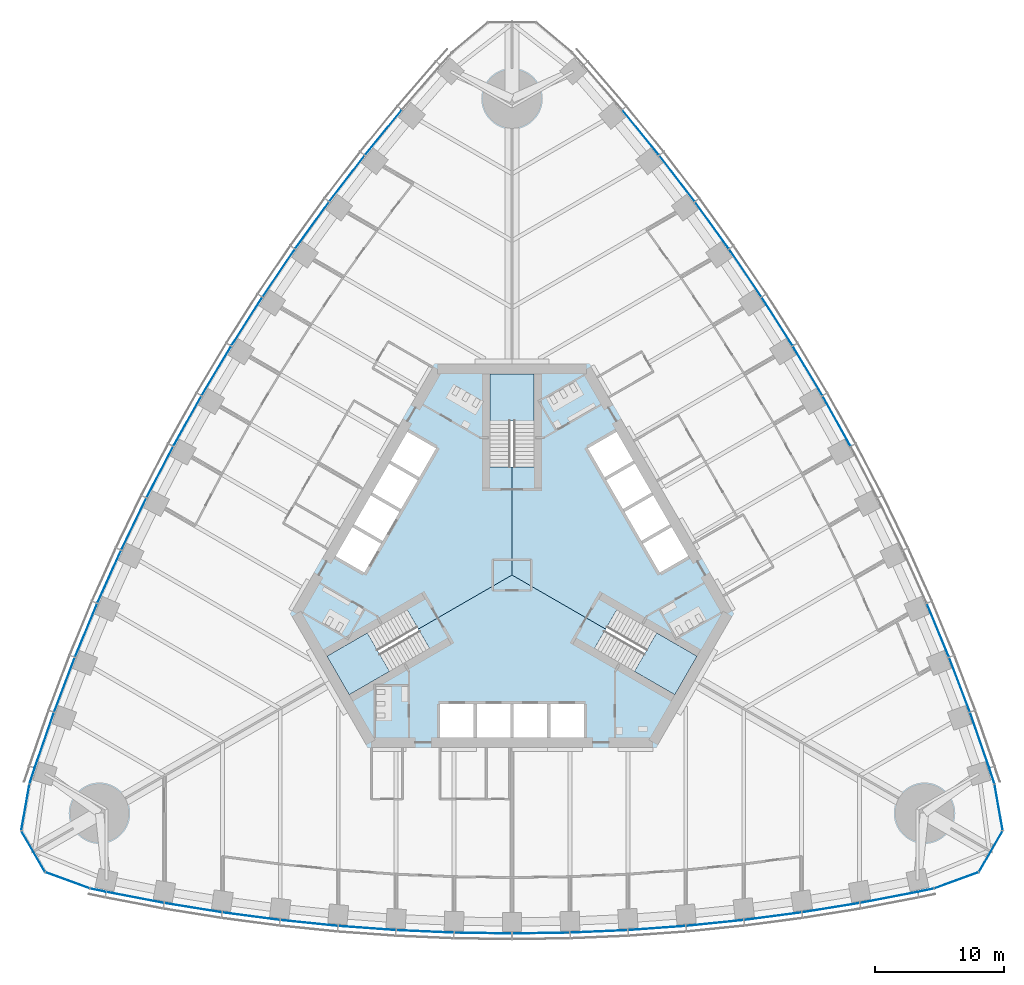
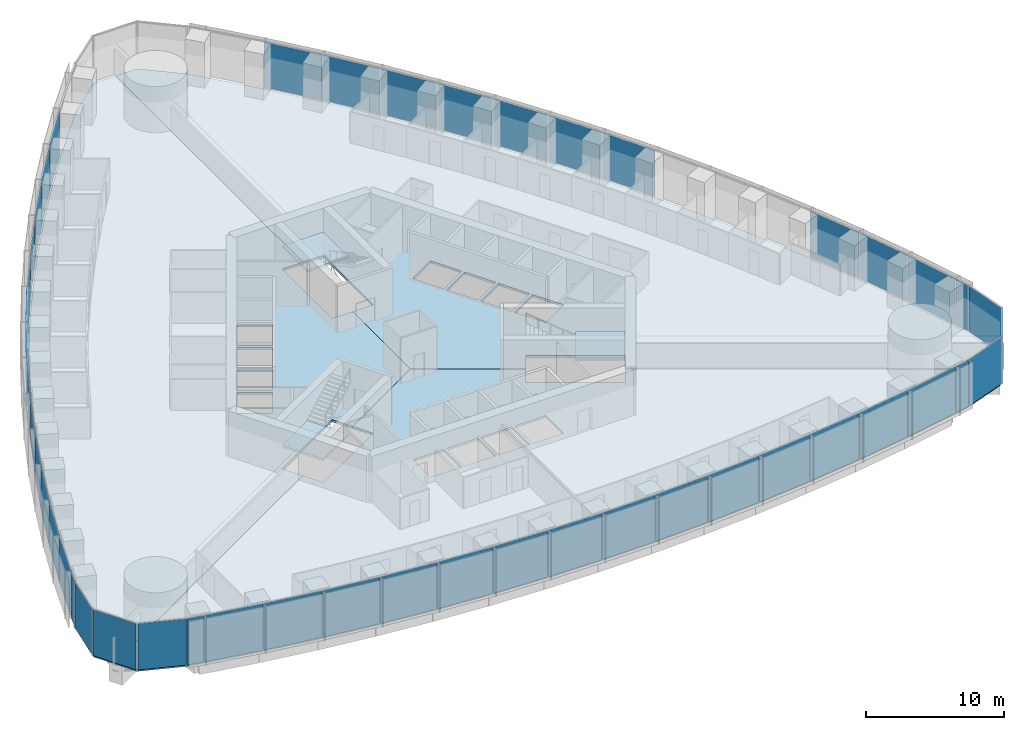
# One storey, part 8 of 19: 47 plates, 6 slabs, 8 elements without a shape of their own.
"""IFC4 building model written with IfcOpenShell, lengths in metres."""

from ifc_helpers import new_model, si_unit, direction, frame, origin, origin_2d, place, context, subcontext, project, spatial, polyline, rectangle, outline, extrude, material, layer, layer_set, type_object, element, aggregate, save


model = new_model("IFC4")

# Units and contexts
model_context = context("Model", 3, precision=1e-05, world=origin(), true_north=direction((0.0, 1.0)))
body_context = subcontext(model_context, "Body", "Model", "MODEL_VIEW")
ifc_project = project(units=[si_unit("LENGTHUNIT", "METRE"), si_unit("AREAUNIT", "SQUARE_METRE"), si_unit("VOLUMEUNIT", "CUBIC_METRE"), si_unit("PLANEANGLEUNIT", "RADIAN"), si_unit("MASSUNIT", "GRAM", prefix="KILO")], contexts=[model_context])

# Site, building, storey
site_placement = place(None, origin())
site = spatial("IfcSite", under=ifc_project, at=site_placement, CompositionType="ELEMENT")
building_placement = place(site_placement, origin())
building = spatial("IfcBuilding", under=site, at=building_placement, Name="Trefoil Bronze Tower", CompositionType="ELEMENT")
storey_placement = place(building_placement, frame((0.0, 0.0, 16.5)))
storey = spatial("IfcBuildingStorey", under=building, at=storey_placement, Name="L03", CompositionType="ELEMENT", Elevation=16.5)

# Curtain wall, plates
ifc_material_1 = material(Name="Tinted solar-control glass", Category="glass")
curtain_wall_type_1 = type_object("IfcCurtainWallType", Name="Bronze office curtain wall", PredefinedType="USERDEFINED", material=ifc_material_1)
curtain_wall_1_placement = place(storey_placement, origin())
curtain_wall_1 = element("IfcCurtainWall", 1, at=curtain_wall_1_placement, inside=storey, type_object=curtain_wall_type_1, Name="CW-A L03 F1", ObjectType="CURTAIN WALL", PredefinedType="USERDEFINED")
ifc_material_2 = material(Name="Tinted solar-control glass", Category="glass")
ifc_layer_1 = layer(ifc_material_2, 0.030029296875)
ifc_layer_set_1 = layer_set([ifc_layer_1], Name="Bronze office curtain wall glass panel")
plate_type_1 = type_object("IfcPlateType", Name="Bronze office curtain wall glass panel", PredefinedType="CURTAIN_PANEL", material=ifc_layer_set_1)
plate_1_placement = place(storey_placement, frame((-32.15185546875, -24.480224609375, 0.0), z_axis=(0.0, 0.0, 1.0), x_axis=(0.978302717041, -0.207180582657, 0.0)))
plate_1 = element("IfcPlate", 2, at=plate_1_placement, type_object=plate_type_1, Name="CW-A L03 F1 panel 1", PredefinedType="CURTAIN_PANEL", context=body_context, shape_type="SweptSolid", body=[
    extrude(rectangle(XDim=1.21044921875, YDim=0.030029296875, at=origin_2d()), origin(), (0.0, 0.0, 1.0), 4.080078125),
])
plate_2_placement = place(storey_placement, frame((-29.268798828125, -25.04638671875, 0.0), z_axis=(0.0, 0.0, 1.0), x_axis=(0.982049823817, -0.188621694249, 0.0)))
plate_2 = element("IfcPlate", 3, at=plate_2_placement, type_object=plate_type_1, Name="CW-A L03 F1 panel 2", PredefinedType="CURTAIN_PANEL", context=body_context, shape_type="SweptSolid", body=[
    extrude(rectangle(XDim=4.502197265625, YDim=0.030029296875, at=origin_2d()), origin(), (0.0, 0.0, 1.0), 4.080078125),
])
plate_3_placement = place(storey_placement, frame((-24.765869140625, -25.8427734375, 0.0), z_axis=(0.0, 0.0, 1.0), x_axis=(0.987181315145, -0.159602791421, 0.0)))
plate_3 = element("IfcPlate", 4, at=plate_3_placement, type_object=plate_type_1, Name="CW-A L03 F1 panel 3", PredefinedType="CURTAIN_PANEL", context=body_context, shape_type="SweptSolid", body=[
    extrude(rectangle(XDim=4.478515625, YDim=0.030029296875, at=origin_2d()), origin(), (0.0, 0.0, 1.0), 4.080078125),
])
plate_4_placement = place(storey_placement, frame((-20.262939453125, -26.50341796875, 0.0), z_axis=(0.0, 0.0, 1.0), x_axis=(0.991437251591, -0.130583981243, 0.0)))
plate_4 = element("IfcPlate", 5, at=plate_4_placement, type_object=plate_type_1, Name="CW-A L03 F1 panel 4", PredefinedType="CURTAIN_PANEL", context=body_context, shape_type="SweptSolid", body=[
    extrude(rectangle(XDim=4.458984375, YDim=0.030029296875, at=origin_2d()), origin(), (0.0, 0.0, 1.0), 4.080078125),
])
plate_5_placement = place(storey_placement, frame((-15.76025390625, -27.02978515625, 0.0), z_axis=(0.0, 0.0, 1.0), x_axis=(0.994828880293, -0.101565244717, 0.0)))
plate_5 = element("IfcPlate", 6, at=plate_5_placement, type_object=plate_type_1, Name="CW-A L03 F1 panel 5", PredefinedType="CURTAIN_PANEL", context=body_context, shape_type="SweptSolid", body=[
    extrude(rectangle(XDim=4.443359375, YDim=0.030029296875, at=origin_2d()), origin(), (0.0, 0.0, 1.0), 4.080078125),
])
plate_6_placement = place(storey_placement, frame((-11.25732421875, -27.42333984375, 0.0), z_axis=(0.0, 0.0, 1.0), x_axis=(0.99736502647, -0.072546564177, 0.0)))
plate_6 = element("IfcPlate", 7, at=plate_6_placement, type_object=plate_type_1, Name="CW-A L03 F1 panel 6", PredefinedType="CURTAIN_PANEL", context=body_context, shape_type="SweptSolid", body=[
    extrude(rectangle(XDim=4.431884765625, YDim=0.030029296875, at=origin_2d()), origin(), (0.0, 0.0, 1.0), 4.080078125),
])
plate_7_placement = place(storey_placement, frame((-6.75439453125, -27.685302734375, 0.0), z_axis=(0.0, 0.0, 1.0), x_axis=(0.999052210809, -0.043527922969, 0.0)))
plate_7 = element("IfcPlate", 8, at=plate_7_placement, type_object=plate_type_1, Name="CW-A L03 F1 panel 7", PredefinedType="CURTAIN_PANEL", context=body_context, shape_type="SweptSolid", body=[
    extrude(rectangle(XDim=4.42431640625, YDim=0.030029296875, at=origin_2d()), origin(), (0.0, 0.0, 1.0), 4.080078125),
])
plate_8_placement = place(storey_placement, frame((-2.25146484375, -27.816162109375, 0.0), z_axis=(0.0, 0.0, 1.0), x_axis=(0.999894734493, -0.014509305083, 0.0)))
plate_8 = element("IfcPlate", 9, at=plate_8_placement, type_object=plate_type_1, Name="CW-A L03 F1 panel 8", PredefinedType="CURTAIN_PANEL", context=body_context, shape_type="SweptSolid", body=[
    extrude(rectangle(XDim=4.42041015625, YDim=0.030029296875, at=origin_2d()), origin(), (0.0, 0.0, 1.0), 4.080078125),
])
plate_9_placement = place(storey_placement, frame((2.25146484375, -27.816162109375, 0.0), z_axis=(0.0, 0.0, 1.0), x_axis=(0.999894734493, 0.014509305083, 0.0)))
plate_9 = element("IfcPlate", 10, at=plate_9_placement, type_object=plate_type_1, Name="CW-A L03 F1 panel 9", PredefinedType="CURTAIN_PANEL", context=body_context, shape_type="SweptSolid", body=[
    extrude(rectangle(XDim=4.42041015625, YDim=0.030029296875, at=origin_2d()), origin(), (0.0, 0.0, 1.0), 4.080078125),
])
plate_10_placement = place(storey_placement, frame((6.75439453125, -27.685302734375, 0.0), z_axis=(0.0, 0.0, 1.0), x_axis=(0.999052210809, 0.043527922969, 0.0)))
plate_10 = element("IfcPlate", 11, at=plate_10_placement, type_object=plate_type_1, Name="CW-A L03 F1 panel 10", PredefinedType="CURTAIN_PANEL", context=body_context, shape_type="SweptSolid", body=[
    extrude(rectangle(XDim=4.42431640625, YDim=0.030029296875, at=origin_2d()), origin(), (0.0, 0.0, 1.0), 4.080078125),
])
plate_11_placement = place(storey_placement, frame((11.25732421875, -27.42333984375, 0.0), z_axis=(0.0, 0.0, 1.0), x_axis=(0.99736502647, 0.072546564177, 0.0)))
plate_11 = element("IfcPlate", 12, at=plate_11_placement, type_object=plate_type_1, Name="CW-A L03 F1 panel 11", PredefinedType="CURTAIN_PANEL", context=body_context, shape_type="SweptSolid", body=[
    extrude(rectangle(XDim=4.431884765625, YDim=0.030029296875, at=origin_2d()), origin(), (0.0, 0.0, 1.0), 4.080078125),
])
plate_12_placement = place(storey_placement, frame((15.76025390625, -27.02978515625, 0.0), z_axis=(0.0, 0.0, 1.0), x_axis=(0.994828880293, 0.101565244717, 0.0)))
plate_12 = element("IfcPlate", 13, at=plate_12_placement, type_object=plate_type_1, Name="CW-A L03 F1 panel 12", PredefinedType="CURTAIN_PANEL", context=body_context, shape_type="SweptSolid", body=[
    extrude(rectangle(XDim=4.443359375, YDim=0.030029296875, at=origin_2d()), origin(), (0.0, 0.0, 1.0), 4.080078125),
])
plate_13_placement = place(storey_placement, frame((20.262939453125, -26.50341796875, 0.0), z_axis=(0.0, 0.0, 1.0), x_axis=(0.991437251591, 0.130583981243, 0.0)))
plate_13 = element("IfcPlate", 14, at=plate_13_placement, type_object=plate_type_1, Name="CW-A L03 F1 panel 13", PredefinedType="CURTAIN_PANEL", context=body_context, shape_type="SweptSolid", body=[
    extrude(rectangle(XDim=4.458984375, YDim=0.030029296875, at=origin_2d()), origin(), (0.0, 0.0, 1.0), 4.080078125),
])
plate_14_placement = place(storey_placement, frame((24.765869140625, -25.8427734375, 0.0), z_axis=(0.0, 0.0, 1.0), x_axis=(0.987181315145, 0.159602791421, 0.0)))
plate_14 = element("IfcPlate", 15, at=plate_14_placement, type_object=plate_type_1, Name="CW-A L03 F1 panel 14", PredefinedType="CURTAIN_PANEL", context=body_context, shape_type="SweptSolid", body=[
    extrude(rectangle(XDim=4.478515625, YDim=0.030029296875, at=origin_2d()), origin(), (0.0, 0.0, 1.0), 4.080078125),
])
plate_15_placement = place(storey_placement, frame((29.268798828125, -25.04638671875, 0.0), z_axis=(0.0, 0.0, 1.0), x_axis=(0.982049823817, 0.188621694249, 0.0)))
plate_15 = element("IfcPlate", 16, at=plate_15_placement, type_object=plate_type_1, Name="CW-A L03 F1 panel 15", PredefinedType="CURTAIN_PANEL", context=body_context, shape_type="SweptSolid", body=[
    extrude(rectangle(XDim=4.502197265625, YDim=0.030029296875, at=origin_2d()), origin(), (0.0, 0.0, 1.0), 4.080078125),
])
plate_16_placement = place(storey_placement, frame((32.15185546875, -24.480224609375, 0.0), z_axis=(0.0, 0.0, 1.0), x_axis=(0.978302717041, 0.207180582657, 0.0)))
plate_16 = element("IfcPlate", 17, at=plate_16_placement, type_object=plate_type_1, Name="CW-A L03 F1 panel 16", PredefinedType="CURTAIN_PANEL", context=body_context, shape_type="SweptSolid", body=[
    extrude(rectangle(XDim=1.21044921875, YDim=0.030029296875, at=origin_2d()), origin(), (0.0, 0.0, 1.0), 4.080078125),
])
aggregate(curtain_wall_1, [plate_1, plate_2, plate_3, plate_4, plate_5, plate_6, plate_7, plate_8, plate_9, plate_10, plate_11, plate_12, plate_13, plate_14, plate_15, plate_16])

curtain_wall_2_placement = place(storey_placement, origin())
curtain_wall_2 = element("IfcCurtainWall", 18, at=curtain_wall_2_placement, inside=storey, type_object=curtain_wall_type_1, Name="CW-A L03 F2", ObjectType="CURTAIN WALL", PredefinedType="USERDEFINED")
plate_17_placement = place(storey_placement, frame((37.2763671875, -15.604248046875, 0.0), z_axis=(0.0, 0.0, 1.0), x_axis=(-0.309727710769, 0.950825296877, 0.0)))
plate_17 = element("IfcPlate", 19, at=plate_17_placement, type_object=plate_type_1, Name="CW-A L03 F2 panel 1", PredefinedType="CURTAIN_PANEL", context=body_context, shape_type="SweptSolid", body=[
    extrude(rectangle(XDim=1.21044921875, YDim=0.030029296875, at=origin_2d()), origin(), (0.0, 0.0, 1.0), 4.080078125),
])
plate_18_placement = place(storey_placement, frame((36.3251953125, -12.824462890625, 0.0), z_axis=(0.0, 0.0, 1.0), x_axis=(-0.327673732984, 0.944790942332, 0.0)))
plate_18 = element("IfcPlate", 20, at=plate_18_placement, type_object=plate_type_1, Name="CW-A L03 F2 panel 2", PredefinedType="CURTAIN_PANEL", context=body_context, shape_type="SweptSolid", body=[
    extrude(rectangle(XDim=4.502197265625, YDim=0.030029296875, at=origin_2d()), origin(), (0.0, 0.0, 1.0), 4.080078125),
])
plate_19_placement = place(storey_placement, frame((34.763427734375, -8.526611328125, 0.0), z_axis=(0.0, 0.0, 1.0), x_axis=(-0.355370585687, 0.934725492767, 0.0)))
plate_19 = element("IfcPlate", 21, at=plate_19_placement, type_object=plate_type_1, Name="CW-A L03 F2 panel 3", PredefinedType="CURTAIN_PANEL", context=body_context, shape_type="SweptSolid", body=[
    extrude(rectangle(XDim=4.478515625, YDim=0.030029296875, at=origin_2d()), origin(), (0.0, 0.0, 1.0), 4.080078125),
])
plate_20_placement = place(storey_placement, frame((33.084228515625, -4.296630859375, 0.0), z_axis=(0.0, 0.0, 1.0), x_axis=(-0.382629580712, 0.923901836758, 0.0)))
plate_20 = element("IfcPlate", 22, at=plate_20_placement, type_object=plate_type_1, Name="CW-A L03 F2 panel 4", PredefinedType="CURTAIN_PANEL", context=body_context, shape_type="SweptSolid", body=[
    extrude(rectangle(XDim=4.458984375, YDim=0.030029296875, at=origin_2d()), origin(), (0.0, 0.0, 1.0), 4.080078125),
])
plate_21_placement = place(storey_placement, frame((25.215087890625, 11.958251953125, 0.0), z_axis=(0.0, 0.0, 1.0), x_axis=(-0.487381940453, 0.873188893722, 0.0)))
plate_21 = element("IfcPlate", 23, at=plate_21_placement, type_object=plate_type_1, Name="CW-A L03 F2 panel 8", PredefinedType="CURTAIN_PANEL", context=body_context, shape_type="SweptSolid", body=[
    extrude(rectangle(XDim=4.42041015625, YDim=0.030029296875, at=origin_2d()), origin(), (0.0, 0.0, 1.0), 4.080078125),
])
plate_22_placement = place(storey_placement, frame((22.963623046875, 15.85791015625, 0.0), z_axis=(0.0, 0.0, 1.0), x_axis=(-0.51251279404, 0.858679588639, 0.0)))
plate_22 = element("IfcPlate", 24, at=plate_22_placement, type_object=plate_type_1, Name="CW-A L03 F2 panel 9", PredefinedType="CURTAIN_PANEL", context=body_context, shape_type="SweptSolid", body=[
    extrude(rectangle(XDim=4.42041015625, YDim=0.030029296875, at=origin_2d()), origin(), (0.0, 0.0, 1.0), 4.080078125),
])
plate_23_placement = place(storey_placement, frame((20.598876953125, 19.692138671875, 0.0), z_axis=(0.0, 0.0, 1.0), x_axis=(-0.537222392469, 0.843440632783, 0.0)))
plate_23 = element("IfcPlate", 25, at=plate_23_placement, type_object=plate_type_1, Name="CW-A L03 F2 panel 10", PredefinedType="CURTAIN_PANEL", context=body_context, shape_type="SweptSolid", body=[
    extrude(rectangle(XDim=4.42431640625, YDim=0.030029296875, at=origin_2d()), origin(), (0.0, 0.0, 1.0), 4.080078125),
])
plate_24_placement = place(storey_placement, frame((18.120849609375, 23.460693359375, 0.0), z_axis=(0.0, 0.0, 1.0), x_axis=(-0.56150968077, 0.827470167681, 0.0)))
plate_24 = element("IfcPlate", 26, at=plate_24_placement, type_object=plate_type_1, Name="CW-A L03 F2 panel 11", PredefinedType="CURTAIN_PANEL", context=body_context, shape_type="SweptSolid", body=[
    extrude(rectangle(XDim=4.431884765625, YDim=0.030029296875, at=origin_2d()), origin(), (0.0, 0.0, 1.0), 4.080078125),
])
plate_25_placement = place(storey_placement, frame((15.5283203125, 27.16357421875, 0.0), z_axis=(0.0, 0.0, 1.0), x_axis=(-0.585372522213, 0.810764460394, 0.0)))
plate_25 = element("IfcPlate", 27, at=plate_25_placement, type_object=plate_type_1, Name="CW-A L03 F2 panel 12", PredefinedType="CURTAIN_PANEL", context=body_context, shape_type="SweptSolid", body=[
    extrude(rectangle(XDim=4.443359375, YDim=0.030029296875, at=origin_2d()), origin(), (0.0, 0.0, 1.0), 4.080078125),
])
plate_26_placement = place(storey_placement, frame((12.821044921875, 30.800048828125, 0.0), z_axis=(0.0, 0.0, 1.0), x_axis=(-0.608807670879, 0.793317855515, 0.0)))
plate_26 = element("IfcPlate", 28, at=plate_26_placement, type_object=plate_type_1, Name="CW-A L03 F2 panel 13", PredefinedType="CURTAIN_PANEL", context=body_context, shape_type="SweptSolid", body=[
    extrude(rectangle(XDim=4.458984375, YDim=0.030029296875, at=origin_2d()), origin(), (0.0, 0.0, 1.0), 4.080078125),
])
plate_27_placement = place(storey_placement, frame((9.99755859375, 34.369384765625, 0.0), z_axis=(0.0, 0.0, 1.0), x_axis=(-0.631810729457, 0.775122701346, 0.0)))
plate_27 = element("IfcPlate", 29, at=plate_27_placement, type_object=plate_type_1, Name="CW-A L03 F2 panel 14", PredefinedType="CURTAIN_PANEL", context=body_context, shape_type="SweptSolid", body=[
    extrude(rectangle(XDim=4.478515625, YDim=0.030029296875, at=origin_2d()), origin(), (0.0, 0.0, 1.0), 4.080078125),
])
aggregate(curtain_wall_2, [plate_17, plate_18, plate_19, plate_20, plate_21, plate_22, plate_23, plate_24, plate_25, plate_26, plate_27])

curtain_wall_3_placement = place(storey_placement, origin())
curtain_wall_3 = element("IfcCurtainWall", 30, at=curtain_wall_3_placement, inside=storey, type_object=curtain_wall_type_1, Name="CW-A L03 F3", ObjectType="CURTAIN WALL", PredefinedType="USERDEFINED")
plate_28_placement = place(storey_placement, frame((-9.99755859375, 34.369384765625, 0.0), z_axis=(0.0, 0.0, 1.0), x_axis=(-0.631810729457, -0.775122701346, 0.0)))
plate_28 = element("IfcPlate", 31, at=plate_28_placement, type_object=plate_type_1, Name="CW-A L03 F3 panel 3", PredefinedType="CURTAIN_PANEL", context=body_context, shape_type="SweptSolid", body=[
    extrude(rectangle(XDim=4.478515625, YDim=0.030029296875, at=origin_2d()), origin(), (0.0, 0.0, 1.0), 4.080078125),
])
plate_29_placement = place(storey_placement, frame((-12.821044921875, 30.800048828125, 0.0), z_axis=(0.0, 0.0, 1.0), x_axis=(-0.608807670879, -0.793317855515, 0.0)))
plate_29 = element("IfcPlate", 32, at=plate_29_placement, type_object=plate_type_1, Name="CW-A L03 F3 panel 4", PredefinedType="CURTAIN_PANEL", context=body_context, shape_type="SweptSolid", body=[
    extrude(rectangle(XDim=4.458984375, YDim=0.030029296875, at=origin_2d()), origin(), (0.0, 0.0, 1.0), 4.080078125),
])
plate_30_placement = place(storey_placement, frame((-15.5283203125, 27.16357421875, 0.0), z_axis=(0.0, 0.0, 1.0), x_axis=(-0.585372522213, -0.810764460394, 0.0)))
plate_30 = element("IfcPlate", 33, at=plate_30_placement, type_object=plate_type_1, Name="CW-A L03 F3 panel 5", PredefinedType="CURTAIN_PANEL", context=body_context, shape_type="SweptSolid", body=[
    extrude(rectangle(XDim=4.443359375, YDim=0.030029296875, at=origin_2d()), origin(), (0.0, 0.0, 1.0), 4.080078125),
])
plate_31_placement = place(storey_placement, frame((-18.120849609375, 23.460693359375, 0.0), z_axis=(0.0, 0.0, 1.0), x_axis=(-0.56150968077, -0.827470167681, 0.0)))
plate_31 = element("IfcPlate", 34, at=plate_31_placement, type_object=plate_type_1, Name="CW-A L03 F3 panel 6", PredefinedType="CURTAIN_PANEL", context=body_context, shape_type="SweptSolid", body=[
    extrude(rectangle(XDim=4.431884765625, YDim=0.030029296875, at=origin_2d()), origin(), (0.0, 0.0, 1.0), 4.080078125),
])
plate_32_placement = place(storey_placement, frame((-20.598876953125, 19.692138671875, 0.0), z_axis=(0.0, 0.0, 1.0), x_axis=(-0.537222392469, -0.843440632783, 0.0)))
plate_32 = element("IfcPlate", 35, at=plate_32_placement, type_object=plate_type_1, Name="CW-A L03 F3 panel 7", PredefinedType="CURTAIN_PANEL", context=body_context, shape_type="SweptSolid", body=[
    extrude(rectangle(XDim=4.42431640625, YDim=0.030029296875, at=origin_2d()), origin(), (0.0, 0.0, 1.0), 4.080078125),
])
plate_33_placement = place(storey_placement, frame((-22.963623046875, 15.85791015625, 0.0), z_axis=(0.0, 0.0, 1.0), x_axis=(-0.51251279404, -0.858679588639, 0.0)))
plate_33 = element("IfcPlate", 36, at=plate_33_placement, type_object=plate_type_1, Name="CW-A L03 F3 panel 8", PredefinedType="CURTAIN_PANEL", context=body_context, shape_type="SweptSolid", body=[
    extrude(rectangle(XDim=4.42041015625, YDim=0.030029296875, at=origin_2d()), origin(), (0.0, 0.0, 1.0), 4.080078125),
])
plate_34_placement = place(storey_placement, frame((-25.215087890625, 11.958251953125, 0.0), z_axis=(0.0, 0.0, 1.0), x_axis=(-0.487381940453, -0.873188893722, 0.0)))
plate_34 = element("IfcPlate", 37, at=plate_34_placement, type_object=plate_type_1, Name="CW-A L03 F3 panel 9", PredefinedType="CURTAIN_PANEL", context=body_context, shape_type="SweptSolid", body=[
    extrude(rectangle(XDim=4.42041015625, YDim=0.030029296875, at=origin_2d()), origin(), (0.0, 0.0, 1.0), 4.080078125),
])
plate_35_placement = place(storey_placement, frame((-27.353271484375, 7.9931640625, 0.0), z_axis=(0.0, 0.0, 1.0), x_axis=(-0.46182981834, -0.886968555752, 0.0)))
plate_35 = element("IfcPlate", 38, at=plate_35_placement, type_object=plate_type_1, Name="CW-A L03 F3 panel 10", PredefinedType="CURTAIN_PANEL", context=body_context, shape_type="SweptSolid", body=[
    extrude(rectangle(XDim=4.42431640625, YDim=0.030029296875, at=origin_2d()), origin(), (0.0, 0.0, 1.0), 4.080078125),
])
plate_36_placement = place(storey_placement, frame((-29.3779296875, 3.962646484375, 0.0), z_axis=(0.0, 0.0, 1.0), x_axis=(-0.4358553457, -0.900016731858, 0.0)))
plate_36 = element("IfcPlate", 39, at=plate_36_placement, type_object=plate_type_1, Name="CW-A L03 F3 panel 11", PredefinedType="CURTAIN_PANEL", context=body_context, shape_type="SweptSolid", body=[
    extrude(rectangle(XDim=4.431884765625, YDim=0.030029296875, at=origin_2d()), origin(), (0.0, 0.0, 1.0), 4.080078125),
])
plate_37_placement = place(storey_placement, frame((-31.28857421875, -0.1337890625, 0.0), z_axis=(0.0, 0.0, 1.0), x_axis=(-0.40945635808, -0.912329705111, 0.0)))
plate_37 = element("IfcPlate", 40, at=plate_37_placement, type_object=plate_type_1, Name="CW-A L03 F3 panel 12", PredefinedType="CURTAIN_PANEL", context=body_context, shape_type="SweptSolid", body=[
    extrude(rectangle(XDim=4.443359375, YDim=0.030029296875, at=origin_2d()), origin(), (0.0, 0.0, 1.0), 4.080078125),
])
plate_38_placement = place(storey_placement, frame((-33.084228515625, -4.296630859375, 0.0), z_axis=(0.0, 0.0, 1.0), x_axis=(-0.382629580712, -0.923901836758, 0.0)))
plate_38 = element("IfcPlate", 41, at=plate_38_placement, type_object=plate_type_1, Name="CW-A L03 F3 panel 13", PredefinedType="CURTAIN_PANEL", context=body_context, shape_type="SweptSolid", body=[
    extrude(rectangle(XDim=4.458984375, YDim=0.030029296875, at=origin_2d()), origin(), (0.0, 0.0, 1.0), 4.080078125),
])
plate_39_placement = place(storey_placement, frame((-34.763427734375, -8.526611328125, 0.0), z_axis=(0.0, 0.0, 1.0), x_axis=(-0.355370585687, -0.934725492767, 0.0)))
plate_39 = element("IfcPlate", 42, at=plate_39_placement, type_object=plate_type_1, Name="CW-A L03 F3 panel 14", PredefinedType="CURTAIN_PANEL", context=body_context, shape_type="SweptSolid", body=[
    extrude(rectangle(XDim=4.478515625, YDim=0.030029296875, at=origin_2d()), origin(), (0.0, 0.0, 1.0), 4.080078125),
])
plate_40_placement = place(storey_placement, frame((-36.3251953125, -12.824462890625, 0.0), z_axis=(0.0, 0.0, 1.0), x_axis=(-0.327673732984, -0.944790942332, 0.0)))
plate_40 = element("IfcPlate", 43, at=plate_40_placement, type_object=plate_type_1, Name="CW-A L03 F3 panel 15", PredefinedType="CURTAIN_PANEL", context=body_context, shape_type="SweptSolid", body=[
    extrude(rectangle(XDim=4.502197265625, YDim=0.030029296875, at=origin_2d()), origin(), (0.0, 0.0, 1.0), 4.080078125),
])
plate_41_placement = place(storey_placement, frame((-37.2763671875, -15.604248046875, 0.0), z_axis=(0.0, 0.0, 1.0), x_axis=(-0.309727710769, -0.950825296877, 0.0)))
plate_41 = element("IfcPlate", 44, at=plate_41_placement, type_object=plate_type_1, Name="CW-A L03 F3 panel 16", PredefinedType="CURTAIN_PANEL", context=body_context, shape_type="SweptSolid", body=[
    extrude(rectangle(XDim=1.21044921875, YDim=0.030029296875, at=origin_2d()), origin(), (0.0, 0.0, 1.0), 4.080078125),
])
aggregate(curtain_wall_3, [plate_28, plate_29, plate_30, plate_31, plate_32, plate_33, plate_34, plate_35, plate_36, plate_37, plate_38, plate_39, plate_40, plate_41])

ifc_material_3 = material(Name="Tinted solar-control glass", Category="glass")
curtain_wall_type_2 = type_object("IfcCurtainWallType", Name="Bronze rounded corner curtain wall", PredefinedType="USERDEFINED", material=ifc_material_3)
curtain_wall_4_placement = place(storey_placement, origin())
curtain_wall_4 = element("IfcCurtainWall", 45, at=curtain_wall_4_placement, inside=storey, type_object=curtain_wall_type_2, Name="CW-B L03 K1", ObjectType="CURTAIN WALL", PredefinedType="USERDEFINED")
ifc_material_4 = material(Name="Tinted solar-control glass", Category="glass")
ifc_layer_2 = layer(ifc_material_4, 0.030029296875)
ifc_layer_set_2 = layer_set([ifc_layer_2], Name="Bronze rounded corner curtain wall glass panel")
plate_type_2 = type_object("IfcPlateType", Name="Bronze rounded corner curtain wall glass panel", PredefinedType="CURTAIN_PANEL", material=ifc_layer_set_2)
plate_42_placement = place(storey_placement, frame((34.5107421875, -23.71875, 0.0), z_axis=(0.0, 0.0, 1.0), x_axis=(0.939692620786, 0.342020143326, 0.0)))
plate_42 = element("IfcPlate", 46, at=plate_42_placement, type_object=plate_type_2, Name="CW-B L03 K1 panel 1", PredefinedType="CURTAIN_PANEL", context=body_context, shape_type="SweptSolid", body=[
    extrude(rectangle(XDim=3.588134765625, YDim=0.030029296875, at=origin_2d()), origin(), (0.0, 0.0, 1.0), 4.080078125),
])
plate_43_placement = place(storey_placement, frame((37.189208984375, -21.47119140625, 0.0), z_axis=(0.0, 0.0, 1.0), x_axis=(0.5, 0.866025403784, 0.0)))
plate_43 = element("IfcPlate", 47, at=plate_43_placement, type_object=plate_type_2, Name="CW-B L03 K1 panel 2", PredefinedType="CURTAIN_PANEL", context=body_context, shape_type="SweptSolid", body=[
    extrude(rectangle(XDim=3.588134765625, YDim=0.030029296875, at=origin_2d()), origin(), (0.0, 0.0, 1.0), 4.080078125),
])
plate_44_placement = place(storey_placement, frame((37.79638671875, -18.02783203125, 0.0), z_axis=(0.0, 0.0, 1.0), x_axis=(-0.173648177667, 0.984807753012, 0.0)))
plate_44 = element("IfcPlate", 48, at=plate_44_placement, type_object=plate_type_2, Name="CW-B L03 K1 panel 3", PredefinedType="CURTAIN_PANEL", context=body_context, shape_type="SweptSolid", body=[
    extrude(rectangle(XDim=3.588134765625, YDim=0.030029296875, at=origin_2d()), origin(), (0.0, 0.0, 1.0), 4.080078125),
])
aggregate(curtain_wall_4, [plate_42, plate_43, plate_44])

curtain_wall_5_placement = place(storey_placement, origin())
curtain_wall_5 = element("IfcCurtainWall", 49, at=curtain_wall_5_placement, inside=storey, type_object=curtain_wall_type_2, Name="CW-B L03 K3", ObjectType="CURTAIN WALL", PredefinedType="USERDEFINED")
plate_45_placement = place(storey_placement, frame((-37.79638671875, -18.02783203125, 0.0), z_axis=(0.0, 0.0, 1.0), x_axis=(-0.173648177667, -0.984807753012, 0.0)))
plate_45 = element("IfcPlate", 50, at=plate_45_placement, type_object=plate_type_2, Name="CW-B L03 K3 panel 1", PredefinedType="CURTAIN_PANEL", context=body_context, shape_type="SweptSolid", body=[
    extrude(rectangle(XDim=3.588134765625, YDim=0.030029296875, at=origin_2d()), origin(), (0.0, 0.0, 1.0), 4.080078125),
])
plate_46_placement = place(storey_placement, frame((-37.189208984375, -21.47119140625, 0.0), z_axis=(0.0, 0.0, 1.0), x_axis=(0.5, -0.866025403784, 0.0)))
plate_46 = element("IfcPlate", 51, at=plate_46_placement, type_object=plate_type_2, Name="CW-B L03 K3 panel 2", PredefinedType="CURTAIN_PANEL", context=body_context, shape_type="SweptSolid", body=[
    extrude(rectangle(XDim=3.588134765625, YDim=0.030029296875, at=origin_2d()), origin(), (0.0, 0.0, 1.0), 4.080078125),
])
plate_47_placement = place(storey_placement, frame((-34.5107421875, -23.71875, 0.0), z_axis=(0.0, 0.0, 1.0), x_axis=(0.939692620786, -0.342020143326, 0.0)))
plate_47 = element("IfcPlate", 52, at=plate_47_placement, type_object=plate_type_2, Name="CW-B L03 K3 panel 3", PredefinedType="CURTAIN_PANEL", context=body_context, shape_type="SweptSolid", body=[
    extrude(rectangle(XDim=3.588134765625, YDim=0.030029296875, at=origin_2d()), origin(), (0.0, 0.0, 1.0), 4.080078125),
])
aggregate(curtain_wall_5, [plate_45, plate_46, plate_47])

# Slabs
ifc_material_5 = material(Name="Concrete B30", Category="concrete")
ifc_layer_3 = layer(ifc_material_5, 0.199951171875)
ifc_layer_set_3 = layer_set([ifc_layer_3], Name="Floor slab 200")
slab_type_1 = type_object("IfcSlabType", Name="Floor slab 200", PredefinedType="FLOOR", material=ifc_layer_set_3)
slab_1_placement = place(storey_placement, frame((0.0, 0.0, -0.199951171875)))
element("IfcSlab", 53, at=slab_1_placement, inside=storey, type_object=slab_type_1, Name="Floor slab L03 face 1", PredefinedType="FLOOR", context=body_context, shape_type="SweptSolid", body=[
    extrude(outline(polyline([(27.0, -25.38037109375), (22.5, -26.10791015625), (18.0, -26.70068359375), (13.5, -27.159912109375), (9.0, -27.4873046875), (4.5, -27.683349609375), (0.0, -27.748779296875), (-4.5, -27.683349609375), (-9.0, -27.4873046875), (-13.5, -27.159912109375), (-18.0, -26.70068359375), (-22.5, -26.10791015625), (-27.0, -25.38037109375), (-31.5, -24.51611328125), (-32.762451171875, -24.248779296875), (-36.190673828125, -23.0009765625), (-37.1025390625, -21.421142578125), (-13.510009765625, -7.800048828125), (-12.6474609375, -9.2939453125), (-6.412109375, -5.69384765625), (-7.274658203125, -4.199951171875), (0.0, 0.0), (7.274658203125, -4.199951171875), (6.412109375, -5.69384765625), (12.6474609375, -9.2939453125), (13.510009765625, -7.800048828125), (37.1025390625, -21.421142578125), (36.190673828125, -23.0009765625), (32.762451171875, -24.248779296875), (31.5, -24.51611328125), (27.0, -25.38037109375)]), holes=[polyline([(-5.574951171875, -10.02490234375), (-2.97509765625, -10.02490234375), (-2.97509765625, -12.60009765625), (-5.574951171875, -12.60009765625), (-5.574951171875, -10.02490234375)]), polyline([(-2.72509765625, -10.02490234375), (-0.125, -10.02490234375), (-0.125, -12.60009765625), (-2.72509765625, -12.60009765625), (-2.72509765625, -10.02490234375)]), polyline([(0.125, -10.02490234375), (2.72509765625, -10.02490234375), (2.72509765625, -12.60009765625), (0.125, -12.60009765625), (0.125, -10.02490234375)]), polyline([(2.97509765625, -10.02490234375), (5.574951171875, -10.02490234375), (5.574951171875, -12.60009765625), (2.97509765625, -12.60009765625), (2.97509765625, -10.02490234375)])]), origin(), (0.0, 0.0, 1.0), 0.199951171875),
])
slab_2_placement = place(storey_placement, frame((0.0, 0.0, -0.199951171875)))
element("IfcSlab", 54, at=slab_2_placement, inside=storey, type_object=slab_type_1, Name="Floor slab L03 face 2", PredefinedType="FLOOR", context=body_context, shape_type="SweptSolid", body=[
    extrude(outline(polyline([(8.47998046875, 36.07275390625), (11.360107421875, 32.53955078125), (14.123291015625, 28.938720703125), (16.771240234375, 25.271240234375), (19.3046875, 21.537841796875), (21.724609375, 17.73876953125), (24.031005859375, 13.874267578125), (26.224609375, 9.944580078125), (28.3046875, 5.949462890625), (30.271240234375, 1.888671875), (32.123291015625, -2.238037109375), (33.860107421875, -6.431640625), (35.47998046875, -10.6923828125), (36.9814453125, -15.021728515625), (37.381103515625, -16.248779296875), (38.0146484375, -19.841552734375), (37.1025390625, -21.421142578125), (13.510009765625, -7.800048828125), (14.37255859375, -6.30615234375), (8.13720703125, -2.7060546875), (7.274658203125, -4.199951171875), (0.0, 0.0), (0.0, 8.39990234375), (1.72509765625, 8.39990234375), (1.72509765625, 15.60009765625), (0.0, 15.60009765625), (0.0, 42.842529296875), (1.82421875, 42.842529296875), (4.618896484375, 40.497314453125), (5.4814453125, 39.537841796875), (8.47998046875, 36.07275390625)]), holes=[polyline([(11.469482421875, 0.184326171875), (10.16943359375, 2.43603515625), (12.3994140625, 3.7236328125), (13.699462890625, 1.471923828125), (11.469482421875, 0.184326171875)]), polyline([(10.04443359375, 2.652587890625), (8.744384765625, 4.904296875), (10.974365234375, 6.191650390625), (12.2744140625, 3.940185546875), (10.04443359375, 2.652587890625)]), polyline([(8.619384765625, 5.120849609375), (7.3193359375, 7.372314453125), (9.54931640625, 8.659912109375), (10.849365234375, 6.408203125), (8.619384765625, 5.120849609375)]), polyline([(7.1943359375, 7.5888671875), (5.894287109375, 9.840576171875), (8.12451171875, 11.128173828125), (9.42431640625, 8.87646484375), (7.1943359375, 7.5888671875)])]), origin(), (0.0, 0.0, 1.0), 0.199951171875),
])
slab_3_placement = place(storey_placement, frame((0.0, 0.0, -0.199951171875)))
element("IfcSlab", 55, at=slab_3_placement, inside=storey, type_object=slab_type_1, Name="Floor slab L03 face 3", PredefinedType="FLOOR", context=body_context, shape_type="SweptSolid", body=[
    extrude(outline(polyline([(-35.47998046875, -10.6923828125), (-33.860107421875, -6.431640625), (-32.123291015625, -2.238037109375), (-30.271240234375, 1.888671875), (-28.3046875, 5.949462890625), (-26.224609375, 9.944580078125), (-24.031005859375, 13.874267578125), (-21.724609375, 17.73876953125), (-19.3046875, 21.537841796875), (-16.771240234375, 25.271240234375), (-14.123291015625, 28.938720703125), (-11.360107421875, 32.53955078125), (-8.47998046875, 36.07275390625), (-5.4814453125, 39.537841796875), (-4.618896484375, 40.497314453125), (-1.82421875, 42.842529296875), (0.0, 42.842529296875), (0.0, 15.60009765625), (-1.72509765625, 15.60009765625), (-1.72509765625, 8.39990234375), (0.0, 8.39990234375), (0.0, 0.0), (-7.274658203125, -4.199951171875), (-8.13720703125, -2.7060546875), (-14.37255859375, -6.30615234375), (-13.510009765625, -7.800048828125), (-37.1025390625, -21.421142578125), (-38.0146484375, -19.841552734375), (-37.381103515625, -16.248779296875), (-36.9814453125, -15.021728515625), (-35.47998046875, -10.6923828125)]), holes=[polyline([(-5.894287109375, 9.840576171875), (-7.1943359375, 7.5888671875), (-9.42431640625, 8.87646484375), (-8.12451171875, 11.128173828125), (-5.894287109375, 9.840576171875)]), polyline([(-7.3193359375, 7.372314453125), (-8.619384765625, 5.120849609375), (-10.849365234375, 6.408203125), (-9.54931640625, 8.659912109375), (-7.3193359375, 7.372314453125)]), polyline([(-8.744384765625, 4.904296875), (-10.04443359375, 2.652587890625), (-12.2744140625, 3.940185546875), (-10.974365234375, 6.191650390625), (-8.744384765625, 4.904296875)]), polyline([(-10.16943359375, 2.43603515625), (-11.469482421875, 0.184326171875), (-13.699462890625, 1.471923828125), (-12.3994140625, 3.7236328125), (-10.16943359375, 2.43603515625)])]), origin(), (0.0, 0.0, 1.0), 0.199951171875),
])

# Stair, slab
ifc_material_6 = material(Name="Precast concrete B80", Category="concrete")
stair_type = type_object("IfcStairType", Name="Exit stair 26 risers", PredefinedType="HALF_TURN_STAIR", material=ifc_material_6)
stair_1_placement = place(storey_placement, origin())
stair_1 = element("IfcStair", 56, at=stair_1_placement, inside=storey, type_object=stair_type, Name="Stair ST1 L03", PredefinedType="HALF_TURN_STAIR")
ifc_material_7 = material(Name="Concrete B30", Category="concrete")
ifc_layer_4 = layer(ifc_material_7, 0.199951171875)
ifc_layer_set_4 = layer_set([ifc_layer_4], Name="Stair landing 200")
slab_type_2 = type_object("IfcSlabType", Name="Stair landing 200", PredefinedType="LANDING", material=ifc_layer_set_4)
slab_4_placement = place(storey_placement, frame((0.0, 0.0, 1.89990234375)))
slab_4 = element("IfcSlab", 57, at=slab_4_placement, type_object=slab_type_2, Name="ST1 landing 1", PredefinedType="LANDING", context=body_context, shape_type="SweptSolid", body=[
    extrude(outline(polyline([(9.512451171875, -7.48388671875), (12.6474609375, -9.2939453125), (14.37255859375, -6.30615234375), (11.237548828125, -4.49609375), (9.512451171875, -7.48388671875)])), origin(), (0.0, 0.0, 1.0), 0.2001953125),
])
aggregate(stair_1, [slab_4])

stair_2_placement = place(storey_placement, origin())
stair_2 = element("IfcStair", 58, at=stair_2_placement, inside=storey, type_object=stair_type, Name="Stair ST2 L03", PredefinedType="HALF_TURN_STAIR")
slab_5_placement = place(storey_placement, frame((0.0, 0.0, 1.89990234375)))
slab_5 = element("IfcSlab", 59, at=slab_5_placement, type_object=slab_type_2, Name="ST2 landing 1", PredefinedType="LANDING", context=body_context, shape_type="SweptSolid", body=[
    extrude(outline(polyline([(1.72509765625, 11.97998046875), (1.72509765625, 15.60009765625), (-1.72509765625, 15.60009765625), (-1.72509765625, 11.97998046875), (1.72509765625, 11.97998046875)])), origin(), (0.0, 0.0, 1.0), 0.2001953125),
])
aggregate(stair_2, [slab_5])

stair_3_placement = place(storey_placement, origin())
stair_3 = element("IfcStair", 60, at=stair_3_placement, inside=storey, type_object=stair_type, Name="Stair ST3 L03", PredefinedType="HALF_TURN_STAIR")
slab_6_placement = place(storey_placement, frame((0.0, 0.0, 1.89990234375)))
slab_6 = element("IfcSlab", 61, at=slab_6_placement, type_object=slab_type_2, Name="ST3 landing 1", PredefinedType="LANDING", context=body_context, shape_type="SweptSolid", body=[
    extrude(outline(polyline([(-11.237548828125, -4.49609375), (-14.37255859375, -6.30615234375), (-12.6474609375, -9.2939453125), (-9.512451171875, -7.48388671875), (-11.237548828125, -4.49609375)])), origin(), (0.0, 0.0, 1.0), 0.2001953125),
])
aggregate(stair_3, [slab_6])

save(model, "model.ifc")
